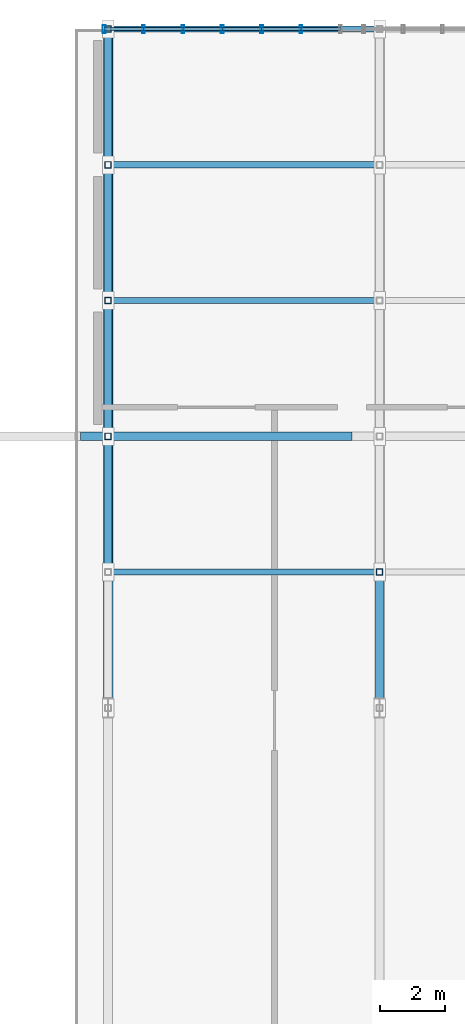
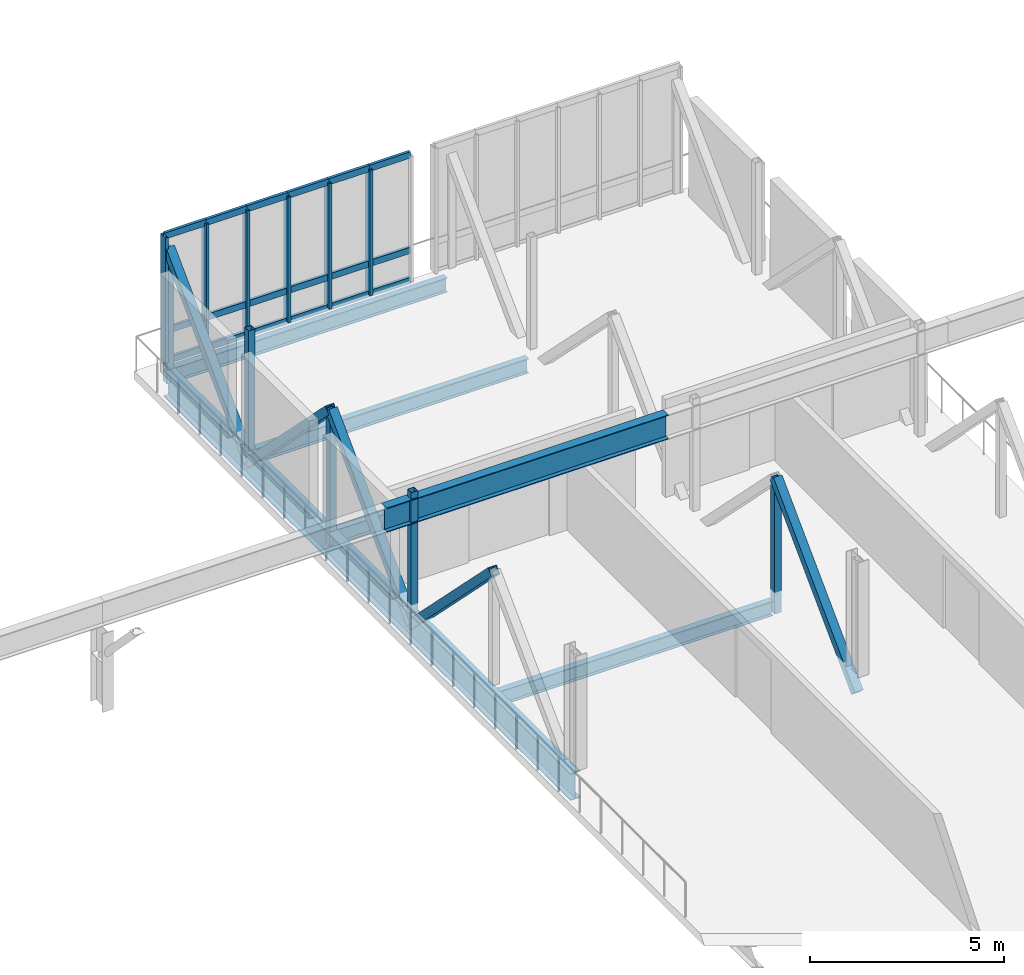
# One storey, part 56 of 107: 34 members, 6 beams, 1 element without a shape of its own.
"""IFC4 building model written with IfcOpenShell, lengths in metres."""

from ifc_helpers import new_model, si_unit, derived_unit, direction, frame, origin, origin_2d, place, context, subcontext, project, spatial, hollow_rectangle, i_section, extrude, material, layer, layer_set, material_profile, profile_set, type_object, element, aggregate, save


model = new_model("IFC4")

# Units and contexts
model_context = context("Model", 3, precision=1e-05, world=origin(), true_north=direction((0.0, 1.0)))
body_context = subcontext(model_context, "Body", "Model", "MODEL_VIEW")
ifc_project = project(units=[si_unit("LENGTHUNIT", "METRE"), si_unit("AREAUNIT", "SQUARE_METRE"), si_unit("VOLUMEUNIT", "CUBIC_METRE"), si_unit("PLANEANGLEUNIT", "RADIAN"), si_unit("MASSUNIT", "GRAM", prefix="KILO"), derived_unit("THERMALTRANSMITTANCEUNIT", [(si_unit("MASSUNIT", "GRAM", prefix="KILO"), 1), (si_unit("TIMEUNIT", "SECOND"), -3), (si_unit("THERMODYNAMICTEMPERATUREUNIT", "KELVIN"), -1)])], contexts=[model_context])

# Site, building, storey
site_placement = place(None, origin())
site = spatial("IfcSite", under=ifc_project, at=site_placement, CompositionType="ELEMENT")
building_placement = place(site_placement, origin())
building = spatial("IfcBuilding", under=site, at=building_placement, Name="Makaiwela Harbour Ferry Terminal", CompositionType="ELEMENT")
storey_placement = place(building_placement, frame((0.0, 0.0, 9.60009765625)))
storey = spatial("IfcBuildingStorey", under=building, at=storey_placement, Name="L02", CompositionType="ELEMENT", Elevation=9.60009765625)

# Curtain wall, members
ifc_material_1 = material(Name="Marine anodised aluminium 6063-T6", Category="aluminium")
ifc_layer = layer(ifc_material_1, 0.199951171875)
ifc_layer_set = layer_set([ifc_layer], Name="Marine anodised aluminium 6063-T6")
curtain_wall_type = type_object("IfcCurtainWallType", Name="ENV-CW-21", PredefinedType="USERDEFINED", material=ifc_layer_set)
curtain_wall_placement = place(storey_placement, origin())
curtain_wall = element("IfcCurtainWall", 1, at=curtain_wall_placement, inside=storey, type_object=curtain_wall_type, Name="Unitised Curtain Wall CWA-134", ObjectType="UNITIZED CURTAIN WALL", PredefinedType="USERDEFINED")
ifc_material_profile_1 = material_profile(ifc_material_1, hollow_rectangle(XDim=0.0849609375, YDim=0.25, WallThickness=0.0048828125, at=origin_2d()), Name="CWM-250X85")
ifc_profile_set_1 = profile_set([ifc_material_profile_1], Name="Marine anodised aluminium 6063-T6")
member_type_1 = type_object("IfcMemberType", Name="CW-MUL-250", PredefinedType="MULLION", material=ifc_profile_set_1)
member_1_placement = place(storey_placement, frame((88.929931640625, 116.0, 0.0), z_axis=(0.0, 0.0, 1.0), x_axis=(1.0, 0.0, 0.0)))
member_1 = element("IfcMember", 2, at=member_1_placement, type_object=member_type_1, Name="Curtain Wall Mullion CWA-134-1", PredefinedType="MULLION", context=body_context, shape_type="SweptSolid", body=[
    extrude(hollow_rectangle(XDim=0.0849609375, YDim=0.25, WallThickness=0.0048828125, at=origin_2d()), origin(), (0.0, 0.0, 1.0), 3.949951171875),
])
member_2_placement = place(storey_placement, frame((90.148193359375, 116.0, 0.0), z_axis=(0.0, 0.0, 1.0), x_axis=(1.0, 0.0, 0.0)))
member_2 = element("IfcMember", 3, at=member_2_placement, type_object=member_type_1, Name="Curtain Wall Mullion CWA-134-2", PredefinedType="MULLION", context=body_context, shape_type="SweptSolid", body=[
    extrude(hollow_rectangle(XDim=0.0849609375, YDim=0.25, WallThickness=0.0048828125, at=origin_2d()), origin(), (0.0, 0.0, 1.0), 3.949951171875),
])
member_3_placement = place(storey_placement, frame((91.36669921875, 116.0, 0.0), z_axis=(0.0, 0.0, 1.0), x_axis=(1.0, 0.0, 0.0)))
member_3 = element("IfcMember", 4, at=member_3_placement, type_object=member_type_1, Name="Curtain Wall Mullion CWA-134-3", PredefinedType="MULLION", context=body_context, shape_type="SweptSolid", body=[
    extrude(hollow_rectangle(XDim=0.0849609375, YDim=0.25, WallThickness=0.0048828125, at=origin_2d()), origin(), (0.0, 0.0, 1.0), 3.949951171875),
])
member_4_placement = place(storey_placement, frame((92.5849609375, 116.0, 0.0), z_axis=(0.0, 0.0, 1.0), x_axis=(1.0, 0.0, 0.0)))
member_4 = element("IfcMember", 5, at=member_4_placement, type_object=member_type_1, Name="Curtain Wall Mullion CWA-134-4", PredefinedType="MULLION", context=body_context, shape_type="SweptSolid", body=[
    extrude(hollow_rectangle(XDim=0.0849609375, YDim=0.25, WallThickness=0.0048828125, at=origin_2d()), origin(), (0.0, 0.0, 1.0), 3.949951171875),
])
member_5_placement = place(storey_placement, frame((93.80322265625, 116.0, 0.0), z_axis=(0.0, 0.0, 1.0), x_axis=(1.0, 0.0, 0.0)))
member_5 = element("IfcMember", 6, at=member_5_placement, type_object=member_type_1, Name="Curtain Wall Mullion CWA-134-5", PredefinedType="MULLION", context=body_context, shape_type="SweptSolid", body=[
    extrude(hollow_rectangle(XDim=0.0849609375, YDim=0.25, WallThickness=0.0048828125, at=origin_2d()), origin(), (0.0, 0.0, 1.0), 3.949951171875),
])
member_6_placement = place(storey_placement, frame((95.021728515625, 116.0, 0.0), z_axis=(0.0, 0.0, 1.0), x_axis=(1.0, 0.0, 0.0)))
member_6 = element("IfcMember", 7, at=member_6_placement, type_object=member_type_1, Name="Curtain Wall Mullion CWA-134-6", PredefinedType="MULLION", context=body_context, shape_type="SweptSolid", body=[
    extrude(hollow_rectangle(XDim=0.0849609375, YDim=0.25, WallThickness=0.0048828125, at=origin_2d()), origin(), (0.0, 0.0, 1.0), 3.949951171875),
])
ifc_material_profile_2 = material_profile(ifc_material_1, hollow_rectangle(XDim=0.0849609375, YDim=0.199951171875, WallThickness=0.0048828125, at=origin_2d()), Name="CWT-200X85")
ifc_profile_set_2 = profile_set([ifc_material_profile_2], Name="Marine anodised aluminium 6063-T6")
member_type_2 = type_object("IfcMemberType", Name="CW-TRN-200", PredefinedType="USERDEFINED", material=ifc_profile_set_2)
member_7_placement = place(storey_placement, frame((88.929931640625, 116.0, 0.0), z_axis=(1.0, 0.0, 0.0), x_axis=(0.0, 1.0, 0.0)))
member_7 = element("IfcMember", 8, at=member_7_placement, type_object=member_type_2, Name="Curtain Wall Transom CWA-134-1-1", ObjectType="TRANSOM", PredefinedType="USERDEFINED", context=body_context, shape_type="SweptSolid", body=[
    extrude(hollow_rectangle(XDim=0.0849609375, YDim=0.199951171875, WallThickness=0.0048828125, at=origin_2d()), origin(), (0.0, 0.0, 1.0), 1.21826171875),
])
member_8_placement = place(storey_placement, frame((88.929931640625, 116.0, 0.949951171875), z_axis=(1.0, 0.0, 0.0), x_axis=(0.0, 1.0, 0.0)))
member_8 = element("IfcMember", 9, at=member_8_placement, type_object=member_type_2, Name="Curtain Wall Transom CWA-134-1-2", ObjectType="TRANSOM", PredefinedType="USERDEFINED", context=body_context, shape_type="SweptSolid", body=[
    extrude(hollow_rectangle(XDim=0.0849609375, YDim=0.199951171875, WallThickness=0.0048828125, at=origin_2d()), origin(), (0.0, 0.0, 1.0), 1.21826171875),
])
member_9_placement = place(storey_placement, frame((88.929931640625, 116.0, 3.949951171875), z_axis=(1.0, 0.0, 0.0), x_axis=(0.0, 1.0, 0.0)))
member_9 = element("IfcMember", 10, at=member_9_placement, type_object=member_type_2, Name="Curtain Wall Transom CWA-134-1-3", ObjectType="TRANSOM", PredefinedType="USERDEFINED", context=body_context, shape_type="SweptSolid", body=[
    extrude(hollow_rectangle(XDim=0.0849609375, YDim=0.199951171875, WallThickness=0.0048828125, at=origin_2d()), origin(), (0.0, 0.0, 1.0), 1.21826171875),
])
member_10_placement = place(storey_placement, frame((90.148193359375, 116.0, 0.0), z_axis=(1.0, 0.0, 0.0), x_axis=(0.0, 1.0, 0.0)))
member_10 = element("IfcMember", 11, at=member_10_placement, type_object=member_type_2, Name="Curtain Wall Transom CWA-134-2-1", ObjectType="TRANSOM", PredefinedType="USERDEFINED", context=body_context, shape_type="SweptSolid", body=[
    extrude(hollow_rectangle(XDim=0.0849609375, YDim=0.199951171875, WallThickness=0.0048828125, at=origin_2d()), origin(), (0.0, 0.0, 1.0), 1.218505859375),
])
member_11_placement = place(storey_placement, frame((90.148193359375, 116.0, 0.949951171875), z_axis=(1.0, 0.0, 0.0), x_axis=(0.0, 1.0, 0.0)))
member_11 = element("IfcMember", 12, at=member_11_placement, type_object=member_type_2, Name="Curtain Wall Transom CWA-134-2-2", ObjectType="TRANSOM", PredefinedType="USERDEFINED", context=body_context, shape_type="SweptSolid", body=[
    extrude(hollow_rectangle(XDim=0.0849609375, YDim=0.199951171875, WallThickness=0.0048828125, at=origin_2d()), origin(), (0.0, 0.0, 1.0), 1.218505859375),
])
member_12_placement = place(storey_placement, frame((90.148193359375, 116.0, 3.949951171875), z_axis=(1.0, 0.0, 0.0), x_axis=(0.0, 1.0, 0.0)))
member_12 = element("IfcMember", 13, at=member_12_placement, type_object=member_type_2, Name="Curtain Wall Transom CWA-134-2-3", ObjectType="TRANSOM", PredefinedType="USERDEFINED", context=body_context, shape_type="SweptSolid", body=[
    extrude(hollow_rectangle(XDim=0.0849609375, YDim=0.199951171875, WallThickness=0.0048828125, at=origin_2d()), origin(), (0.0, 0.0, 1.0), 1.218505859375),
])
member_13_placement = place(storey_placement, frame((91.36669921875, 116.0, 0.0), z_axis=(1.0, 0.0, 0.0), x_axis=(0.0, 1.0, 0.0)))
member_13 = element("IfcMember", 14, at=member_13_placement, type_object=member_type_2, Name="Curtain Wall Transom CWA-134-3-1", ObjectType="TRANSOM", PredefinedType="USERDEFINED", context=body_context, shape_type="SweptSolid", body=[
    extrude(hollow_rectangle(XDim=0.0849609375, YDim=0.199951171875, WallThickness=0.0048828125, at=origin_2d()), origin(), (0.0, 0.0, 1.0), 1.21826171875),
])
member_14_placement = place(storey_placement, frame((91.36669921875, 116.0, 0.949951171875), z_axis=(1.0, 0.0, 0.0), x_axis=(0.0, 1.0, 0.0)))
member_14 = element("IfcMember", 15, at=member_14_placement, type_object=member_type_2, Name="Curtain Wall Transom CWA-134-3-2", ObjectType="TRANSOM", PredefinedType="USERDEFINED", context=body_context, shape_type="SweptSolid", body=[
    extrude(hollow_rectangle(XDim=0.0849609375, YDim=0.199951171875, WallThickness=0.0048828125, at=origin_2d()), origin(), (0.0, 0.0, 1.0), 1.21826171875),
])
member_15_placement = place(storey_placement, frame((91.36669921875, 116.0, 3.949951171875), z_axis=(1.0, 0.0, 0.0), x_axis=(0.0, 1.0, 0.0)))
member_15 = element("IfcMember", 16, at=member_15_placement, type_object=member_type_2, Name="Curtain Wall Transom CWA-134-3-3", ObjectType="TRANSOM", PredefinedType="USERDEFINED", context=body_context, shape_type="SweptSolid", body=[
    extrude(hollow_rectangle(XDim=0.0849609375, YDim=0.199951171875, WallThickness=0.0048828125, at=origin_2d()), origin(), (0.0, 0.0, 1.0), 1.21826171875),
])
member_16_placement = place(storey_placement, frame((92.5849609375, 116.0, 0.0), z_axis=(1.0, 0.0, 0.0), x_axis=(0.0, 1.0, 0.0)))
member_16 = element("IfcMember", 17, at=member_16_placement, type_object=member_type_2, Name="Curtain Wall Transom CWA-134-4-1", ObjectType="TRANSOM", PredefinedType="USERDEFINED", context=body_context, shape_type="SweptSolid", body=[
    extrude(hollow_rectangle(XDim=0.0849609375, YDim=0.199951171875, WallThickness=0.0048828125, at=origin_2d()), origin(), (0.0, 0.0, 1.0), 1.21826171875),
])
member_17_placement = place(storey_placement, frame((92.5849609375, 116.0, 0.949951171875), z_axis=(1.0, 0.0, 0.0), x_axis=(0.0, 1.0, 0.0)))
member_17 = element("IfcMember", 18, at=member_17_placement, type_object=member_type_2, Name="Curtain Wall Transom CWA-134-4-2", ObjectType="TRANSOM", PredefinedType="USERDEFINED", context=body_context, shape_type="SweptSolid", body=[
    extrude(hollow_rectangle(XDim=0.0849609375, YDim=0.199951171875, WallThickness=0.0048828125, at=origin_2d()), origin(), (0.0, 0.0, 1.0), 1.21826171875),
])
member_18_placement = place(storey_placement, frame((92.5849609375, 116.0, 3.949951171875), z_axis=(1.0, 0.0, 0.0), x_axis=(0.0, 1.0, 0.0)))
member_18 = element("IfcMember", 19, at=member_18_placement, type_object=member_type_2, Name="Curtain Wall Transom CWA-134-4-3", ObjectType="TRANSOM", PredefinedType="USERDEFINED", context=body_context, shape_type="SweptSolid", body=[
    extrude(hollow_rectangle(XDim=0.0849609375, YDim=0.199951171875, WallThickness=0.0048828125, at=origin_2d()), origin(), (0.0, 0.0, 1.0), 1.21826171875),
])
member_19_placement = place(storey_placement, frame((93.80322265625, 116.0, 0.0), z_axis=(1.0, 0.0, 0.0), x_axis=(0.0, 1.0, 0.0)))
member_19 = element("IfcMember", 20, at=member_19_placement, type_object=member_type_2, Name="Curtain Wall Transom CWA-134-5-1", ObjectType="TRANSOM", PredefinedType="USERDEFINED", context=body_context, shape_type="SweptSolid", body=[
    extrude(hollow_rectangle(XDim=0.0849609375, YDim=0.199951171875, WallThickness=0.0048828125, at=origin_2d()), origin(), (0.0, 0.0, 1.0), 1.218505859375),
])
member_20_placement = place(storey_placement, frame((93.80322265625, 116.0, 0.949951171875), z_axis=(1.0, 0.0, 0.0), x_axis=(0.0, 1.0, 0.0)))
member_20 = element("IfcMember", 21, at=member_20_placement, type_object=member_type_2, Name="Curtain Wall Transom CWA-134-5-2", ObjectType="TRANSOM", PredefinedType="USERDEFINED", context=body_context, shape_type="SweptSolid", body=[
    extrude(hollow_rectangle(XDim=0.0849609375, YDim=0.199951171875, WallThickness=0.0048828125, at=origin_2d()), origin(), (0.0, 0.0, 1.0), 1.218505859375),
])
member_21_placement = place(storey_placement, frame((93.80322265625, 116.0, 3.949951171875), z_axis=(1.0, 0.0, 0.0), x_axis=(0.0, 1.0, 0.0)))
member_21 = element("IfcMember", 22, at=member_21_placement, type_object=member_type_2, Name="Curtain Wall Transom CWA-134-5-3", ObjectType="TRANSOM", PredefinedType="USERDEFINED", context=body_context, shape_type="SweptSolid", body=[
    extrude(hollow_rectangle(XDim=0.0849609375, YDim=0.199951171875, WallThickness=0.0048828125, at=origin_2d()), origin(), (0.0, 0.0, 1.0), 1.218505859375),
])
member_22_placement = place(storey_placement, frame((95.021728515625, 116.0, 0.0), z_axis=(1.0, 0.0, 0.0), x_axis=(0.0, 1.0, 0.0)))
member_22 = element("IfcMember", 23, at=member_22_placement, type_object=member_type_2, Name="Curtain Wall Transom CWA-134-6-1", ObjectType="TRANSOM", PredefinedType="USERDEFINED", context=body_context, shape_type="SweptSolid", body=[
    extrude(hollow_rectangle(XDim=0.0849609375, YDim=0.199951171875, WallThickness=0.0048828125, at=origin_2d()), origin(), (0.0, 0.0, 1.0), 1.21826171875),
])
member_23_placement = place(storey_placement, frame((95.021728515625, 116.0, 0.949951171875), z_axis=(1.0, 0.0, 0.0), x_axis=(0.0, 1.0, 0.0)))
member_23 = element("IfcMember", 24, at=member_23_placement, type_object=member_type_2, Name="Curtain Wall Transom CWA-134-6-2", ObjectType="TRANSOM", PredefinedType="USERDEFINED", context=body_context, shape_type="SweptSolid", body=[
    extrude(hollow_rectangle(XDim=0.0849609375, YDim=0.199951171875, WallThickness=0.0048828125, at=origin_2d()), origin(), (0.0, 0.0, 1.0), 1.21826171875),
])
member_24_placement = place(storey_placement, frame((95.021728515625, 116.0, 3.949951171875), z_axis=(1.0, 0.0, 0.0), x_axis=(0.0, 1.0, 0.0)))
member_24 = element("IfcMember", 25, at=member_24_placement, type_object=member_type_2, Name="Curtain Wall Transom CWA-134-6-3", ObjectType="TRANSOM", PredefinedType="USERDEFINED", context=body_context, shape_type="SweptSolid", body=[
    extrude(hollow_rectangle(XDim=0.0849609375, YDim=0.199951171875, WallThickness=0.0048828125, at=origin_2d()), origin(), (0.0, 0.0, 1.0), 1.21826171875),
])
aggregate(curtain_wall, [member_1, member_2, member_3, member_4, member_5, member_6, member_7, member_8, member_9, member_10, member_11, member_12, member_13, member_14, member_15, member_16, member_17, member_18, member_19, member_20, member_21, member_22, member_23, member_24])

# Members
ifc_material_2 = material(Name="Steel ASTM A500 Grade C", Category="steel")
ifc_material_profile_3 = material_profile(ifc_material_2, hollow_rectangle(XDim=0.25390625, YDim=0.25390625, WallThickness=0.0146484375, at=origin_2d()), Name="HSS10X10X5/8")
ifc_profile_set_3 = profile_set([ifc_material_profile_3], Name="Steel ASTM A500 Grade C")
member_type_3 = type_object("IfcMemberType", Name="STR-BRC-HSS10", PredefinedType="BRACE", material=ifc_profile_set_3)
for number, where, z_axis, x_axis, name in (
    (26, (89.050048828125, 99.199951171875, 3.534423828125), (0.0, 0.705423542875, -0.708786022124), (-1.0, 0.0, 0.0), "Structural Member BR-01"),
    (27, (89.050048828125, 103.39990234375, -0.685546875), (0.0, 0.7054441424, 0.708765519727), (-1.0, 0.0, 0.0), "Structural Member BR-01"),
    (28, (89.050048828125, 107.60009765625, 3.534423828125), (0.0, 0.705423542875, -0.708786022124), (-1.0, 0.0, 0.0), "Structural Member BR-01"),
    (29, (89.050048828125, 111.800048828125, -0.685546875), (0.0, 0.705423542875, 0.708786022124), (-1.0, 0.0, 0.0), "Structural Member BR-01"),
    (30, (97.449951171875, 95.0, -0.685546875), (0.0, 0.705423542875, 0.708786022124), (-1.0, 0.0, 0.0), "Structural Member BR-01"),
):
    element("IfcMember", number, at=place(storey_placement, frame(where, z_axis=z_axis, x_axis=x_axis)), inside=storey, type_object=member_type_3, Name=name, PredefinedType="BRACE", context=body_context, shape_type="SweptSolid", body=[
        extrude(hollow_rectangle(XDim=0.25390625, YDim=0.25390625, WallThickness=0.0146484375, at=origin_2d()), origin(), (0.0, 0.0, 1.0), 5.953857421875),
    ])

# Beams
ifc_material_3 = material(Name="Steel ASTM A992 Grade 50", Category="steel")
ifc_material_profile_4 = material_profile(ifc_material_3, i_section(OverallWidth=0.26806640625, OverallDepth=0.77001953125, WebThickness=0.015625, FlangeThickness=0.025390625, at=origin_2d()), Name="W30X132")
ifc_profile_set_4 = profile_set([ifc_material_profile_4], Name="Steel ASTM A992 Grade 50")
beam_type_1 = type_object("IfcBeamType", Name="STR-GRD-W30X132", PredefinedType="USERDEFINED", material=ifc_profile_set_4)
beam_1_placement = place(storey_placement, frame((88.199951171875, 103.39990234375, 2.949951171875), z_axis=(1.0, 0.0, 0.0), x_axis=(0.0, 1.0, 0.0)))
element("IfcBeam", 31, at=beam_1_placement, inside=storey, type_object=beam_type_1, Name="Vault springing tie girder M-4", ObjectType="GIRDER", PredefinedType="USERDEFINED", context=body_context, shape_type="SweptSolid", body=[
    extrude(i_section(OverallWidth=0.26806640625, OverallDepth=0.77001953125, WebThickness=0.015625, FlangeThickness=0.025390625, at=origin_2d()), origin(), (0.0, 0.0, 1.0), 8.400146484375),
])
ifc_material_profile_5 = material_profile(ifc_material_3, i_section(OverallWidth=0.2939453125, OverallDepth=0.85107421875, WebThickness=0.01611328125, FlangeThickness=0.02685546875, at=origin_2d()), Name="W33X152")
ifc_profile_set_5 = profile_set([ifc_material_profile_5], Name="Steel ASTM A992 Grade 50")
beam_type_2 = type_object("IfcBeamType", Name="STR-GRD-W33X152", PredefinedType="USERDEFINED", material=ifc_profile_set_5)
beam_2_placement = place(storey_placement, frame((89.050048828125, 95.0, -0.685546875), z_axis=(0.0, 1.0, 0.0), x_axis=(-1.0, 0.0, 0.0)))
element("IfcBeam", 32, at=beam_2_placement, inside=storey, type_object=beam_type_2, Name="North bridge truss middle chord 1", ObjectType="GIRDER", PredefinedType="USERDEFINED", context=body_context, shape_type="SweptSolid", body=[
    extrude(i_section(OverallWidth=0.2939453125, OverallDepth=0.85107421875, WebThickness=0.01611328125, FlangeThickness=0.02685546875, at=origin_2d()), origin(), (0.0, 0.0, 1.0), 21.0),
])
ifc_material_profile_6 = material_profile(ifc_material_3, i_section(OverallWidth=0.18994140625, OverallDepth=0.45703125, WebThickness=0.009033203125, FlangeThickness=0.014404296875, at=origin_2d()), Name="W18X50")
ifc_profile_set_6 = profile_set([ifc_material_profile_6], Name="Steel ASTM A992 Grade 50")
beam_type_3 = type_object("IfcBeamType", Name="STR-JST-W18X50", PredefinedType="JOIST", material=ifc_profile_set_6)
for number, where, z_axis, x_axis, name in (
    (33, (89.19091796875, 99.199951171875, -0.488525390625), (1.0, 0.0, 0.0), (0.0, 1.0, 0.0), "Structural Beam J-01"),
    (34, (89.19091796875, 107.60009765625, -0.488525390625), (1.0, 0.0, 0.0), (0.0, 1.0, 0.0), "Structural Beam J-01"),
    (35, (89.19091796875, 111.800048828125, -0.488525390625), (1.0, 0.0, 0.0), (0.0, 1.0, 0.0), "Structural Beam J-01"),
    (36, (89.19091796875, 116.0, -0.488525390625), (1.0, 0.0, 0.0), (0.0, 1.0, 0.0), "Structural Beam J-01"),
):
    element("IfcBeam", number, at=place(storey_placement, frame(where, z_axis=z_axis, x_axis=x_axis)), inside=storey, type_object=beam_type_3, Name=name, PredefinedType="JOIST", context=body_context, shape_type="SweptSolid", body=[
        extrude(i_section(OverallWidth=0.18994140625, OverallDepth=0.45703125, WebThickness=0.009033203125, FlangeThickness=0.014404296875, at=origin_2d()), origin(), (0.0, 0.0, 1.0), 8.1181640625),
    ])

# Members
ifc_material_profile_7 = material_profile(ifc_material_2, hollow_rectangle(XDim=0.202880859375, YDim=0.202880859375, WallThickness=0.01171875, at=origin_2d()), Name="HSS8X8X1/2")
ifc_profile_set_7 = profile_set([ifc_material_profile_7], Name="Steel ASTM A500 Grade C")
member_type_4 = type_object("IfcMemberType", Name="STR-PST-HSS8", PredefinedType="POST", material=ifc_profile_set_7)
for number, where, z_axis, x_axis, name in (
    (37, (89.050048828125, 103.39990234375, -0.685546875), (0.0, 0.0, 1.0), (1.0, 0.0, 0.0), "Structural Member PS-01"),
    (38, (89.050048828125, 107.60009765625, -0.685546875), (0.0, 0.0, 1.0), (1.0, 0.0, 0.0), "Structural Member PS-01"),
    (39, (89.050048828125, 111.800048828125, -0.685546875), (0.0, 0.0, 1.0), (1.0, 0.0, 0.0), "Structural Member PS-01"),
    (40, (89.050048828125, 116.0, -0.685546875), (0.0, 0.0, 1.0), (1.0, 0.0, 0.0), "Structural Member PS-01"),
    (41, (97.449951171875, 99.199951171875, -0.685546875), (0.0, 0.0, 1.0), (1.0, 0.0, 0.0), "Structural Member PS-01"),
):
    element("IfcMember", number, at=place(storey_placement, frame(where, z_axis=z_axis, x_axis=x_axis)), inside=storey, type_object=member_type_4, Name=name, PredefinedType="POST", context=body_context, shape_type="SweptSolid", body=[
        extrude(hollow_rectangle(XDim=0.202880859375, YDim=0.202880859375, WallThickness=0.01171875, at=origin_2d()), origin(), (0.0, 0.0, 1.0), 4.219970703125),
    ])

save(model, "model.ifc")
